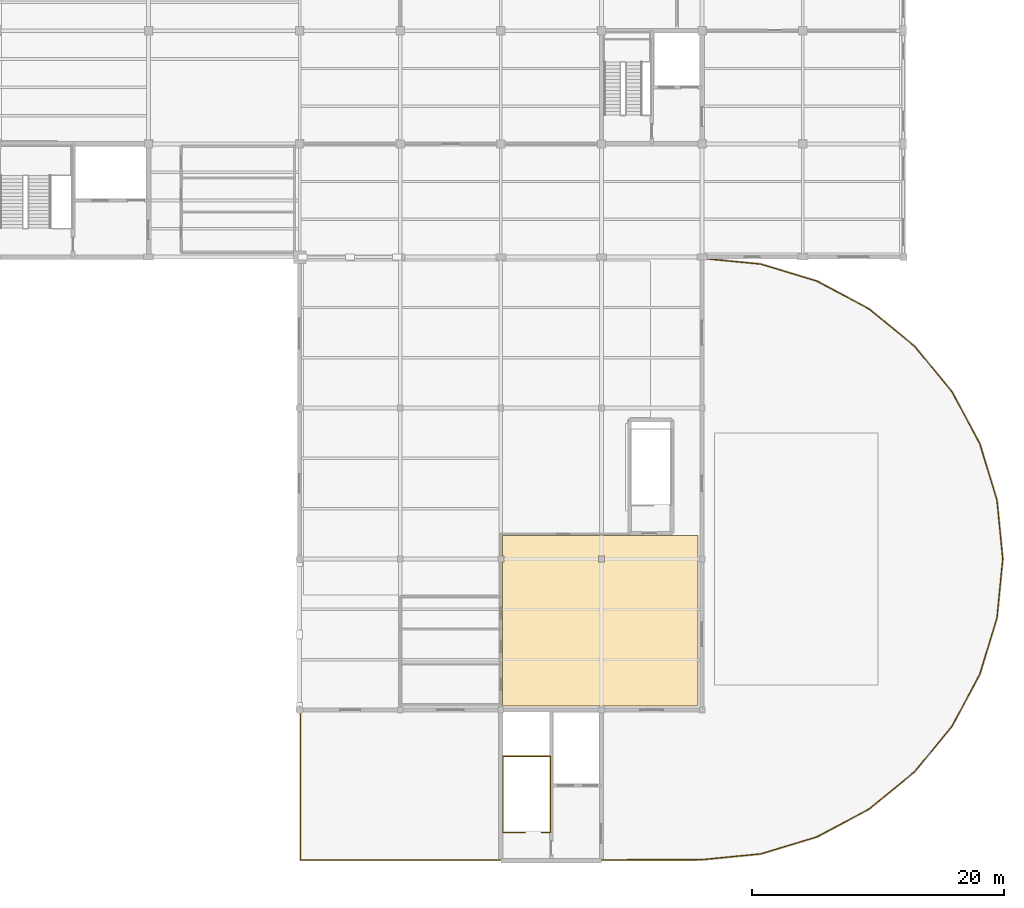
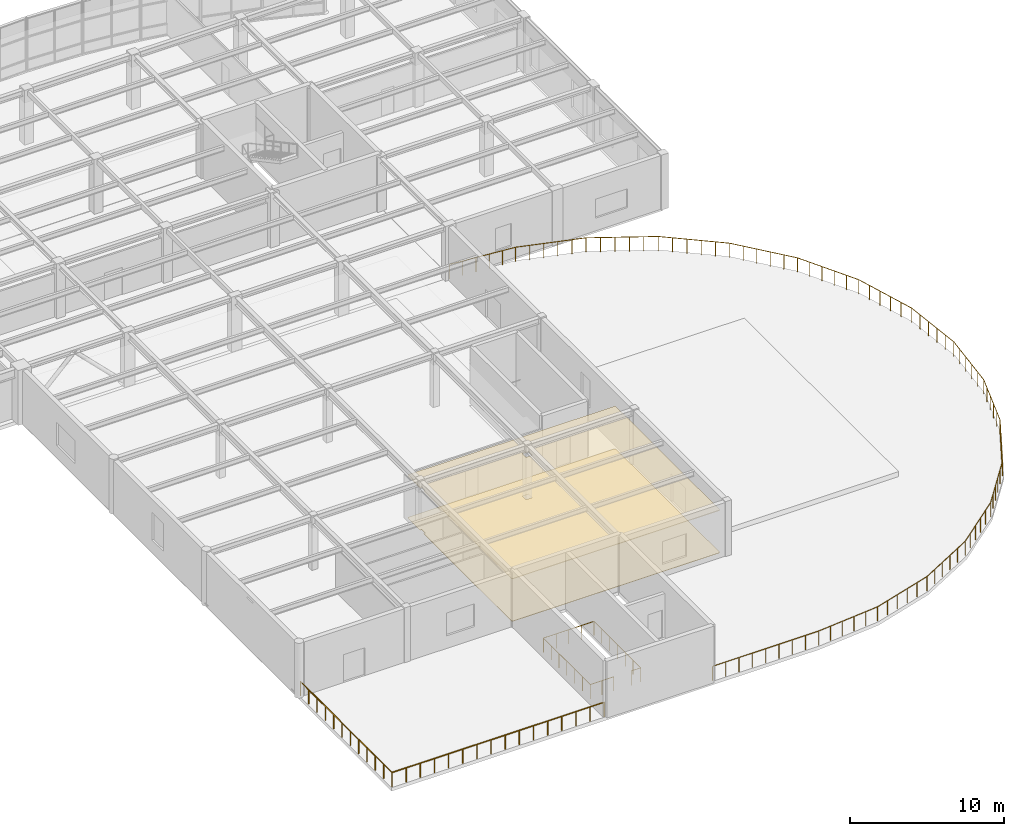
# One storey, part 11 of 16: 3 railings, 2 coverings.
"""IFC4 building model written with IfcOpenShell, lengths in metres."""

from ifc_helpers import new_model, si_unit, direction, frame, origin, origin_2d, place, context, subcontext, project, spatial, polyline, circle, outline, extrude, material, layer, layer_set, type_object, element, save


model = new_model("IFC4")

# Units and contexts
model_context = context("Model", 3, precision=1e-05, world=origin(), true_north=direction((0.0, 1.0)))
body_context = subcontext(model_context, "Body", "Model", "MODEL_VIEW")
ifc_project = project(units=[si_unit("LENGTHUNIT", "METRE"), si_unit("AREAUNIT", "SQUARE_METRE"), si_unit("VOLUMEUNIT", "CUBIC_METRE"), si_unit("PLANEANGLEUNIT", "RADIAN"), si_unit("MASSUNIT", "GRAM", prefix="KILO")], contexts=[model_context])

# Site, building, storey
site_placement = place(None, origin())
site = spatial("IfcSite", under=ifc_project, at=site_placement, CompositionType="ELEMENT")
building_placement = place(site_placement, origin())
building = spatial("IfcBuilding", under=site, at=building_placement, Name="Keelwater Ferry Terminal", CompositionType="ELEMENT")
storey_placement = place(building_placement, frame((0.0, 0.0, 15.0)))
storey = spatial("IfcBuildingStorey", under=building, at=storey_placement, Name="L03", CompositionType="ELEMENT", Elevation=15.0)

# Railings
ifc_material_1 = material(Name="Marine stainless steel and laminated glass balustrade", Category="steel")
railing_type_1 = type_object("IfcRailingType", Name="BL-115 Waterfront Promenade Balustrade", PredefinedType="BALUSTRADE", material=ifc_material_1)
railing_1_placement = place(storey_placement, frame((132.080078125, 53.949951171875, 0.0)))
element("IfcRailing", 1, at=railing_1_placement, inside=storey, type_object=railing_type_1, Name="East Roof Garden West Guard 4", PredefinedType="BALUSTRADE", context=body_context, shape_type="SweptSolid", body=[
    extrude(circle(Radius=0.02685546875, at=origin_2d()), frame((0.0, 0.0, 1.123046875), z_axis=(0.0, -1.0, 0.0), x_axis=(1.0, 0.0, 0.0)), (0.0, 0.0, 1.0), 11.869873046875),
    extrude(circle(Radius=0.02685546875, at=origin_2d()), frame((0.0, -11.869873046875, 1.123046875), z_axis=(1.0, 0.0, 0.0), x_axis=(0.0, 1.0, 0.0)), (0.0, 0.0, 1.0), 15.869873046875),
    extrude(circle(Radius=0.02392578125, at=origin_2d()), origin(), (0.0, 0.0, 1.0), 1.095947265625),
    extrude(circle(Radius=0.02392578125, at=origin_2d()), frame((0.0, -1.0791015625, 0.0)), (0.0, 0.0, 1.0), 1.095947265625),
    extrude(circle(Radius=0.02392578125, at=origin_2d()), frame((0.0, -2.158203125, 0.0)), (0.0, 0.0, 1.0), 1.095947265625),
    extrude(circle(Radius=0.02392578125, at=origin_2d()), frame((0.0, -3.2373046875, 0.0)), (0.0, 0.0, 1.0), 1.095947265625),
    extrude(circle(Radius=0.02392578125, at=origin_2d()), frame((0.0, -4.31640625, 0.0)), (0.0, 0.0, 1.0), 1.095947265625),
    extrude(circle(Radius=0.02392578125, at=origin_2d()), frame((0.0, -5.3955078125, 0.0)), (0.0, 0.0, 1.0), 1.095947265625),
    extrude(circle(Radius=0.02392578125, at=origin_2d()), frame((0.0, -6.474365234375, 0.0)), (0.0, 0.0, 1.0), 1.095947265625),
    extrude(circle(Radius=0.02392578125, at=origin_2d()), frame((0.0, -7.553466796875, 0.0)), (0.0, 0.0, 1.0), 1.095947265625),
    extrude(circle(Radius=0.02392578125, at=origin_2d()), frame((0.0, -8.632568359375, 0.0)), (0.0, 0.0, 1.0), 1.095947265625),
    extrude(circle(Radius=0.02392578125, at=origin_2d()), frame((0.0, -9.711669921875, 0.0)), (0.0, 0.0, 1.0), 1.095947265625),
    extrude(circle(Radius=0.02392578125, at=origin_2d()), frame((0.0, -10.790771484375, 0.0)), (0.0, 0.0, 1.0), 1.095947265625),
    extrude(circle(Radius=0.02392578125, at=origin_2d()), frame((0.0, -11.869873046875, 0.0)), (0.0, 0.0, 1.0), 1.095947265625),
    extrude(circle(Radius=0.02392578125, at=origin_2d()), frame((1.05810546875, -11.869873046875, 0.0)), (0.0, 0.0, 1.0), 1.095947265625),
    extrude(circle(Radius=0.02392578125, at=origin_2d()), frame((2.115966796875, -11.869873046875, 0.0)), (0.0, 0.0, 1.0), 1.095947265625),
    extrude(circle(Radius=0.02392578125, at=origin_2d()), frame((3.174072265625, -11.869873046875, 0.0)), (0.0, 0.0, 1.0), 1.095947265625),
    extrude(circle(Radius=0.02392578125, at=origin_2d()), frame((4.23193359375, -11.869873046875, 0.0)), (0.0, 0.0, 1.0), 1.095947265625),
    extrude(circle(Radius=0.02392578125, at=origin_2d()), frame((5.2900390625, -11.869873046875, 0.0)), (0.0, 0.0, 1.0), 1.095947265625),
    extrude(circle(Radius=0.02392578125, at=origin_2d()), frame((6.347900390625, -11.869873046875, 0.0)), (0.0, 0.0, 1.0), 1.095947265625),
    extrude(circle(Radius=0.02392578125, at=origin_2d()), frame((7.406005859375, -11.869873046875, 0.0)), (0.0, 0.0, 1.0), 1.095947265625),
    extrude(circle(Radius=0.02392578125, at=origin_2d()), frame((8.4638671875, -11.869873046875, 0.0)), (0.0, 0.0, 1.0), 1.095947265625),
    extrude(circle(Radius=0.02392578125, at=origin_2d()), frame((9.52197265625, -11.869873046875, 0.0)), (0.0, 0.0, 1.0), 1.095947265625),
    extrude(circle(Radius=0.02392578125, at=origin_2d()), frame((10.579833984375, -11.869873046875, 0.0)), (0.0, 0.0, 1.0), 1.095947265625),
    extrude(circle(Radius=0.02392578125, at=origin_2d()), frame((11.637939453125, -11.869873046875, 0.0)), (0.0, 0.0, 1.0), 1.095947265625),
    extrude(circle(Radius=0.02392578125, at=origin_2d()), frame((12.69580078125, -11.869873046875, 0.0)), (0.0, 0.0, 1.0), 1.095947265625),
    extrude(circle(Radius=0.02392578125, at=origin_2d()), frame((13.75390625, -11.869873046875, 0.0)), (0.0, 0.0, 1.0), 1.095947265625),
    extrude(circle(Radius=0.02392578125, at=origin_2d()), frame((14.811767578125, -11.869873046875, 0.0)), (0.0, 0.0, 1.0), 1.095947265625),
    extrude(circle(Radius=0.02392578125, at=origin_2d()), frame((15.869873046875, -11.869873046875, 0.0)), (0.0, 0.0, 1.0), 1.095947265625),
])
railing_2_placement = place(storey_placement, frame((156.050048828125, 42.080078125, 0.0)))
element("IfcRailing", 2, at=railing_2_placement, inside=storey, type_object=railing_type_1, Name="East Semicircular Roof Garden Guard 5", PredefinedType="BALUSTRADE", context=body_context, shape_type="SweptSolid", body=[
    extrude(circle(Radius=0.02685546875, at=origin_2d()), frame((0.0, 0.0, 1.123046875), z_axis=(0.999996829361, 0.002518187514, 0.0), x_axis=(-0.002518187514, 0.999996829361, 0.0)), (0.0, 0.0, 1.0), 7.949951171875),
    extrude(circle(Radius=0.02685546875, at=origin_2d()), frame((7.949951171875, 0.02001953125, 1.123046875), z_axis=(0.995190751659, 0.097955948331, 0.0), x_axis=(-0.097955948331, 0.995190751659, 0.0)), (0.0, 0.0, 1.0), 4.685546875),
    extrude(circle(Radius=0.02685546875, at=origin_2d()), frame((12.613037109375, 0.47900390625, 1.123046875), z_axis=(0.956941085694, 0.290282204951, 0.0), x_axis=(-0.290282204951, 0.956941085694, 0.0)), (0.0, 0.0, 1.0), 4.6845703125),
    extrude(circle(Radius=0.02685546875, at=origin_2d()), frame((17.095947265625, 1.8388671875, 1.123046875), z_axis=(0.881890956585, 0.471453434279, 0.0), x_axis=(-0.471453434279, 0.881890956585, 0.0)), (0.0, 0.0, 1.0), 4.685546875),
    extrude(circle(Radius=0.02685546875, at=origin_2d()), frame((21.22802734375, 4.0478515625, 1.123046875), z_axis=(0.773030125768, 0.634369312511, 0.0), x_axis=(-0.634369312511, 0.773030125768, 0.0)), (0.0, 0.0, 1.0), 4.685302734375),
    extrude(circle(Radius=0.02685546875, at=origin_2d()), frame((24.849853515625, 7.02001953125, 1.123046875), z_axis=(0.634369312511, 0.773030125768, 0.0), x_axis=(-0.773030125768, 0.634369312511, 0.0)), (0.0, 0.0, 1.0), 4.685302734375),
    extrude(circle(Radius=0.02685546875, at=origin_2d()), frame((27.822021484375, 10.641845703125, 1.123046875), z_axis=(0.471453434279, 0.881890956585, 0.0), x_axis=(-0.881890956585, 0.471453434279, 0.0)), (0.0, 0.0, 1.0), 4.685546875),
    extrude(circle(Radius=0.02685546875, at=origin_2d()), frame((30.031005859375, 14.77392578125, 1.123046875), z_axis=(0.290282204951, 0.956941085694, 0.0), x_axis=(-0.956941085694, 0.290282204951, 0.0)), (0.0, 0.0, 1.0), 4.6845703125),
    extrude(circle(Radius=0.02685546875, at=origin_2d()), frame((31.390869140625, 19.2568359375, 1.123046875), z_axis=(0.097955948331, 0.995190751659, 0.0), x_axis=(-0.995190751659, 0.097955948331, 0.0)), (0.0, 0.0, 1.0), 4.685546875),
    extrude(circle(Radius=0.02685546875, at=origin_2d()), frame((31.849853515625, 23.919921875, 1.123046875), z_axis=(-0.097955948331, 0.995190751659, 0.0), x_axis=(-0.995190751659, -0.097955948331, 0.0)), (0.0, 0.0, 1.0), 4.685546875),
    extrude(circle(Radius=0.02685546875, at=origin_2d()), frame((31.390869140625, 28.5830078125, 1.123046875), z_axis=(-0.290282204951, 0.956941085694, 0.0), x_axis=(-0.956941085694, -0.290282204951, 0.0)), (0.0, 0.0, 1.0), 4.6845703125),
    extrude(circle(Radius=0.02685546875, at=origin_2d()), frame((30.031005859375, 33.06591796875, 1.123046875), z_axis=(-0.471453434279, 0.881890956585, 0.0), x_axis=(-0.881890956585, -0.471453434279, 0.0)), (0.0, 0.0, 1.0), 4.685546875),
    extrude(circle(Radius=0.02685546875, at=origin_2d()), frame((27.822021484375, 37.197998046875, 1.123046875), z_axis=(-0.634369312511, 0.773030125768, 0.0), x_axis=(-0.773030125768, -0.634369312511, 0.0)), (0.0, 0.0, 1.0), 4.685302734375),
    extrude(circle(Radius=0.02685546875, at=origin_2d()), frame((24.849853515625, 40.81982421875, 1.123046875), z_axis=(-0.773030125768, 0.634369312511, 0.0), x_axis=(-0.634369312511, -0.773030125768, 0.0)), (0.0, 0.0, 1.0), 4.685302734375),
    extrude(circle(Radius=0.02685546875, at=origin_2d()), frame((21.22802734375, 43.7919921875, 1.123046875), z_axis=(-0.881890956585, 0.471453434279, 0.0), x_axis=(-0.471453434279, -0.881890956585, 0.0)), (0.0, 0.0, 1.0), 4.685546875),
    extrude(circle(Radius=0.02685546875, at=origin_2d()), frame((17.095947265625, 46.0009765625, 1.123046875), z_axis=(-0.956941085694, 0.290282204951, 0.0), x_axis=(-0.290282204951, -0.956941085694, 0.0)), (0.0, 0.0, 1.0), 4.6845703125),
    extrude(circle(Radius=0.02685546875, at=origin_2d()), frame((12.613037109375, 47.36083984375, 1.123046875), z_axis=(-0.995190751659, 0.097955948331, 0.0), x_axis=(-0.097955948331, -0.995190751659, 0.0)), (0.0, 0.0, 1.0), 4.685546875),
    extrude(circle(Radius=0.02392578125, at=origin_2d()), origin(), (0.0, 0.0, 1.0), 1.095947265625),
    extrude(circle(Radius=0.02392578125, at=origin_2d()), frame((0.99365234375, 0.00244140625, 0.0)), (0.0, 0.0, 1.0), 1.095947265625),
    extrude(circle(Radius=0.02392578125, at=origin_2d()), frame((1.987548828125, 0.0048828125, 0.0)), (0.0, 0.0, 1.0), 1.095947265625),
    extrude(circle(Radius=0.02392578125, at=origin_2d()), frame((2.981201171875, 0.007568359375, 0.0)), (0.0, 0.0, 1.0), 1.095947265625),
    extrude(circle(Radius=0.02392578125, at=origin_2d()), frame((3.97509765625, 0.010009765625, 0.0)), (0.0, 0.0, 1.0), 1.095947265625),
    extrude(circle(Radius=0.02392578125, at=origin_2d()), frame((4.96875, 0.012451171875, 0.0)), (0.0, 0.0, 1.0), 1.095947265625),
    extrude(circle(Radius=0.02392578125, at=origin_2d()), frame((5.96240234375, 0.01513671875, 0.0)), (0.0, 0.0, 1.0), 1.095947265625),
    extrude(circle(Radius=0.02392578125, at=origin_2d()), frame((6.956298828125, 0.017578125, 0.0)), (0.0, 0.0, 1.0), 1.095947265625),
    extrude(circle(Radius=0.02392578125, at=origin_2d()), frame((7.949951171875, 0.02001953125, 0.0)), (0.0, 0.0, 1.0), 1.095947265625),
    extrude(circle(Radius=0.02392578125, at=origin_2d()), frame((8.882568359375, 0.11181640625, 0.0)), (0.0, 0.0, 1.0), 1.095947265625),
    extrude(circle(Radius=0.02392578125, at=origin_2d()), frame((9.815185546875, 0.20361328125, 0.0)), (0.0, 0.0, 1.0), 1.095947265625),
    extrude(circle(Radius=0.02392578125, at=origin_2d()), frame((10.747802734375, 0.29541015625, 0.0)), (0.0, 0.0, 1.0), 1.095947265625),
    extrude(circle(Radius=0.02392578125, at=origin_2d()), frame((11.680419921875, 0.38720703125, 0.0)), (0.0, 0.0, 1.0), 1.095947265625),
    extrude(circle(Radius=0.02392578125, at=origin_2d()), frame((12.613037109375, 0.47900390625, 0.0)), (0.0, 0.0, 1.0), 1.095947265625),
    extrude(circle(Radius=0.02392578125, at=origin_2d()), frame((13.509521484375, 0.7509765625, 0.0)), (0.0, 0.0, 1.0), 1.095947265625),
    extrude(circle(Radius=0.02392578125, at=origin_2d()), frame((14.40625, 1.02294921875, 0.0)), (0.0, 0.0, 1.0), 1.095947265625),
    extrude(circle(Radius=0.02392578125, at=origin_2d()), frame((15.302734375, 1.294921875, 0.0)), (0.0, 0.0, 1.0), 1.095947265625),
    extrude(circle(Radius=0.02392578125, at=origin_2d()), frame((16.199462890625, 1.56689453125, 0.0)), (0.0, 0.0, 1.0), 1.095947265625),
    extrude(circle(Radius=0.02392578125, at=origin_2d()), frame((17.095947265625, 1.8388671875, 0.0)), (0.0, 0.0, 1.0), 1.095947265625),
    extrude(circle(Radius=0.02392578125, at=origin_2d()), frame((17.92236328125, 2.28076171875, 0.0)), (0.0, 0.0, 1.0), 1.095947265625),
    extrude(circle(Radius=0.02392578125, at=origin_2d()), frame((18.748779296875, 2.722412109375, 0.0)), (0.0, 0.0, 1.0), 1.095947265625),
    extrude(circle(Radius=0.02392578125, at=origin_2d()), frame((19.5751953125, 3.164306640625, 0.0)), (0.0, 0.0, 1.0), 1.095947265625),
    extrude(circle(Radius=0.02392578125, at=origin_2d()), frame((20.401611328125, 3.60595703125, 0.0)), (0.0, 0.0, 1.0), 1.095947265625),
    extrude(circle(Radius=0.02392578125, at=origin_2d()), frame((21.22802734375, 4.0478515625, 0.0)), (0.0, 0.0, 1.0), 1.095947265625),
    extrude(circle(Radius=0.02392578125, at=origin_2d()), frame((21.952392578125, 4.642333984375, 0.0)), (0.0, 0.0, 1.0), 1.095947265625),
    extrude(circle(Radius=0.02392578125, at=origin_2d()), frame((22.6767578125, 5.23681640625, 0.0)), (0.0, 0.0, 1.0), 1.095947265625),
    extrude(circle(Radius=0.02392578125, at=origin_2d()), frame((23.401123046875, 5.8310546875, 0.0)), (0.0, 0.0, 1.0), 1.095947265625),
    extrude(circle(Radius=0.02392578125, at=origin_2d()), frame((24.12548828125, 6.425537109375, 0.0)), (0.0, 0.0, 1.0), 1.095947265625),
    extrude(circle(Radius=0.02392578125, at=origin_2d()), frame((24.849853515625, 7.02001953125, 0.0)), (0.0, 0.0, 1.0), 1.095947265625),
    extrude(circle(Radius=0.02392578125, at=origin_2d()), frame((25.4443359375, 7.744384765625, 0.0)), (0.0, 0.0, 1.0), 1.095947265625),
    extrude(circle(Radius=0.02392578125, at=origin_2d()), frame((26.038818359375, 8.46875, 0.0)), (0.0, 0.0, 1.0), 1.095947265625),
    extrude(circle(Radius=0.02392578125, at=origin_2d()), frame((26.633056640625, 9.193115234375, 0.0)), (0.0, 0.0, 1.0), 1.095947265625),
    extrude(circle(Radius=0.02392578125, at=origin_2d()), frame((27.2275390625, 9.91748046875, 0.0)), (0.0, 0.0, 1.0), 1.095947265625),
    extrude(circle(Radius=0.02392578125, at=origin_2d()), frame((27.822021484375, 10.641845703125, 0.0)), (0.0, 0.0, 1.0), 1.095947265625),
    extrude(circle(Radius=0.02392578125, at=origin_2d()), frame((28.263916015625, 11.46826171875, 0.0)), (0.0, 0.0, 1.0), 1.095947265625),
    extrude(circle(Radius=0.02392578125, at=origin_2d()), frame((28.70556640625, 12.294677734375, 0.0)), (0.0, 0.0, 1.0), 1.095947265625),
    extrude(circle(Radius=0.02392578125, at=origin_2d()), frame((29.1474609375, 13.12109375, 0.0)), (0.0, 0.0, 1.0), 1.095947265625),
    extrude(circle(Radius=0.02392578125, at=origin_2d()), frame((29.589111328125, 13.947509765625, 0.0)), (0.0, 0.0, 1.0), 1.095947265625),
    extrude(circle(Radius=0.02392578125, at=origin_2d()), frame((30.031005859375, 14.77392578125, 0.0)), (0.0, 0.0, 1.0), 1.095947265625),
    extrude(circle(Radius=0.02392578125, at=origin_2d()), frame((30.302978515625, 15.67041015625, 0.0)), (0.0, 0.0, 1.0), 1.095947265625),
    extrude(circle(Radius=0.02392578125, at=origin_2d()), frame((30.574951171875, 16.567138671875, 0.0)), (0.0, 0.0, 1.0), 1.095947265625),
    extrude(circle(Radius=0.02392578125, at=origin_2d()), frame((30.846923828125, 17.463623046875, 0.0)), (0.0, 0.0, 1.0), 1.095947265625),
    extrude(circle(Radius=0.02392578125, at=origin_2d()), frame((31.118896484375, 18.3603515625, 0.0)), (0.0, 0.0, 1.0), 1.095947265625),
    extrude(circle(Radius=0.02392578125, at=origin_2d()), frame((31.390869140625, 19.2568359375, 0.0)), (0.0, 0.0, 1.0), 1.095947265625),
    extrude(circle(Radius=0.02392578125, at=origin_2d()), frame((31.482666015625, 20.189453125, 0.0)), (0.0, 0.0, 1.0), 1.095947265625),
    extrude(circle(Radius=0.02392578125, at=origin_2d()), frame((31.574462890625, 21.1220703125, 0.0)), (0.0, 0.0, 1.0), 1.095947265625),
    extrude(circle(Radius=0.02392578125, at=origin_2d()), frame((31.666259765625, 22.0546875, 0.0)), (0.0, 0.0, 1.0), 1.095947265625),
    extrude(circle(Radius=0.02392578125, at=origin_2d()), frame((31.758056640625, 22.9873046875, 0.0)), (0.0, 0.0, 1.0), 1.095947265625),
    extrude(circle(Radius=0.02392578125, at=origin_2d()), frame((31.849853515625, 23.919921875, 0.0)), (0.0, 0.0, 1.0), 1.095947265625),
    extrude(circle(Radius=0.02392578125, at=origin_2d()), frame((31.758056640625, 24.8525390625, 0.0)), (0.0, 0.0, 1.0), 1.095947265625),
    extrude(circle(Radius=0.02392578125, at=origin_2d()), frame((31.666259765625, 25.78515625, 0.0)), (0.0, 0.0, 1.0), 1.095947265625),
    extrude(circle(Radius=0.02392578125, at=origin_2d()), frame((31.574462890625, 26.7177734375, 0.0)), (0.0, 0.0, 1.0), 1.095947265625),
    extrude(circle(Radius=0.02392578125, at=origin_2d()), frame((31.482666015625, 27.650390625, 0.0)), (0.0, 0.0, 1.0), 1.095947265625),
    extrude(circle(Radius=0.02392578125, at=origin_2d()), frame((31.390869140625, 28.5830078125, 0.0)), (0.0, 0.0, 1.0), 1.095947265625),
    extrude(circle(Radius=0.02392578125, at=origin_2d()), frame((31.118896484375, 29.4794921875, 0.0)), (0.0, 0.0, 1.0), 1.095947265625),
    extrude(circle(Radius=0.02392578125, at=origin_2d()), frame((30.846923828125, 30.376220703125, 0.0)), (0.0, 0.0, 1.0), 1.095947265625),
    extrude(circle(Radius=0.02392578125, at=origin_2d()), frame((30.574951171875, 31.272705078125, 0.0)), (0.0, 0.0, 1.0), 1.095947265625),
    extrude(circle(Radius=0.02392578125, at=origin_2d()), frame((30.302978515625, 32.16943359375, 0.0)), (0.0, 0.0, 1.0), 1.095947265625),
    extrude(circle(Radius=0.02392578125, at=origin_2d()), frame((30.031005859375, 33.06591796875, 0.0)), (0.0, 0.0, 1.0), 1.095947265625),
    extrude(circle(Radius=0.02392578125, at=origin_2d()), frame((29.589111328125, 33.892333984375, 0.0)), (0.0, 0.0, 1.0), 1.095947265625),
    extrude(circle(Radius=0.02392578125, at=origin_2d()), frame((29.1474609375, 34.71875, 0.0)), (0.0, 0.0, 1.0), 1.095947265625),
    extrude(circle(Radius=0.02392578125, at=origin_2d()), frame((28.70556640625, 35.545166015625, 0.0)), (0.0, 0.0, 1.0), 1.095947265625),
    extrude(circle(Radius=0.02392578125, at=origin_2d()), frame((28.263916015625, 36.37158203125, 0.0)), (0.0, 0.0, 1.0), 1.095947265625),
    extrude(circle(Radius=0.02392578125, at=origin_2d()), frame((27.822021484375, 37.197998046875, 0.0)), (0.0, 0.0, 1.0), 1.095947265625),
    extrude(circle(Radius=0.02392578125, at=origin_2d()), frame((27.2275390625, 37.92236328125, 0.0)), (0.0, 0.0, 1.0), 1.095947265625),
    extrude(circle(Radius=0.02392578125, at=origin_2d()), frame((26.633056640625, 38.646728515625, 0.0)), (0.0, 0.0, 1.0), 1.095947265625),
    extrude(circle(Radius=0.02392578125, at=origin_2d()), frame((26.038818359375, 39.37109375, 0.0)), (0.0, 0.0, 1.0), 1.095947265625),
    extrude(circle(Radius=0.02392578125, at=origin_2d()), frame((25.4443359375, 40.095458984375, 0.0)), (0.0, 0.0, 1.0), 1.095947265625),
    extrude(circle(Radius=0.02392578125, at=origin_2d()), frame((24.849853515625, 40.81982421875, 0.0)), (0.0, 0.0, 1.0), 1.095947265625),
    extrude(circle(Radius=0.02392578125, at=origin_2d()), frame((24.12548828125, 41.414306640625, 0.0)), (0.0, 0.0, 1.0), 1.095947265625),
    extrude(circle(Radius=0.02392578125, at=origin_2d()), frame((23.401123046875, 42.0087890625, 0.0)), (0.0, 0.0, 1.0), 1.095947265625),
    extrude(circle(Radius=0.02392578125, at=origin_2d()), frame((22.6767578125, 42.60302734375, 0.0)), (0.0, 0.0, 1.0), 1.095947265625),
    extrude(circle(Radius=0.02392578125, at=origin_2d()), frame((21.952392578125, 43.197509765625, 0.0)), (0.0, 0.0, 1.0), 1.095947265625),
    extrude(circle(Radius=0.02392578125, at=origin_2d()), frame((21.22802734375, 43.7919921875, 0.0)), (0.0, 0.0, 1.0), 1.095947265625),
    extrude(circle(Radius=0.02392578125, at=origin_2d()), frame((20.401611328125, 44.23388671875, 0.0)), (0.0, 0.0, 1.0), 1.095947265625),
    extrude(circle(Radius=0.02392578125, at=origin_2d()), frame((19.5751953125, 44.675537109375, 0.0)), (0.0, 0.0, 1.0), 1.095947265625),
    extrude(circle(Radius=0.02392578125, at=origin_2d()), frame((18.748779296875, 45.117431640625, 0.0)), (0.0, 0.0, 1.0), 1.095947265625),
    extrude(circle(Radius=0.02392578125, at=origin_2d()), frame((17.92236328125, 45.55908203125, 0.0)), (0.0, 0.0, 1.0), 1.095947265625),
    extrude(circle(Radius=0.02392578125, at=origin_2d()), frame((17.095947265625, 46.0009765625, 0.0)), (0.0, 0.0, 1.0), 1.095947265625),
    extrude(circle(Radius=0.02392578125, at=origin_2d()), frame((16.199462890625, 46.27294921875, 0.0)), (0.0, 0.0, 1.0), 1.095947265625),
    extrude(circle(Radius=0.02392578125, at=origin_2d()), frame((15.302734375, 46.544921875, 0.0)), (0.0, 0.0, 1.0), 1.095947265625),
    extrude(circle(Radius=0.02392578125, at=origin_2d()), frame((14.40625, 46.81689453125, 0.0)), (0.0, 0.0, 1.0), 1.095947265625),
    extrude(circle(Radius=0.02392578125, at=origin_2d()), frame((13.509521484375, 47.0888671875, 0.0)), (0.0, 0.0, 1.0), 1.095947265625),
    extrude(circle(Radius=0.02392578125, at=origin_2d()), frame((12.613037109375, 47.36083984375, 0.0)), (0.0, 0.0, 1.0), 1.095947265625),
    extrude(circle(Radius=0.02392578125, at=origin_2d()), frame((11.680419921875, 47.45263671875, 0.0)), (0.0, 0.0, 1.0), 1.095947265625),
    extrude(circle(Radius=0.02392578125, at=origin_2d()), frame((10.747802734375, 47.54443359375, 0.0)), (0.0, 0.0, 1.0), 1.095947265625),
    extrude(circle(Radius=0.02392578125, at=origin_2d()), frame((9.815185546875, 47.63623046875, 0.0)), (0.0, 0.0, 1.0), 1.095947265625),
    extrude(circle(Radius=0.02392578125, at=origin_2d()), frame((8.882568359375, 47.72802734375, 0.0)), (0.0, 0.0, 1.0), 1.095947265625),
    extrude(circle(Radius=0.02392578125, at=origin_2d()), frame((7.949951171875, 47.81982421875, 0.0)), (0.0, 0.0, 1.0), 1.095947265625),
])

# Coverings
ifc_material_2 = material(Name="Perforated acoustic gypsum board ceiling", Category="gypsum")
ifc_layer_1 = layer(ifc_material_2, 0.044921875)
ifc_layer_set_1 = layer_set([ifc_layer_1], Name="Perforated acoustic gypsum board ceiling")
covering_type_1 = type_object("IfcCoveringType", Name="CL-AC Acoustic Baffle Ceiling", PredefinedType="CEILING", material=ifc_layer_set_1)
covering_1_placement = place(storey_placement, frame((0.0, 0.0, 3.35009765625)))
element("IfcCovering", 3, at=covering_1_placement, inside=storey, type_object=covering_type_1, Name="Maritime Archive Study Hall Acoustic Ceiling", PredefinedType="CEILING", context=body_context, shape_type="SweptSolid", body=[
    extrude(outline(polyline([(148.1201171875, 66.237060546875), (148.1201171875, 66.2451171875), (148.1201171875, 67.800048828125), (148.1201171875, 67.80810546875), (148.1220703125, 67.81591796875), (148.123046875, 67.822998046875), (148.1259765625, 67.8310546875), (148.12890625, 67.837890625), (148.133056640625, 67.843994140625), (148.137939453125, 67.85107421875), (148.14306640625, 67.85693359375), (148.14892578125, 67.862060546875), (148.156005859375, 67.866943359375), (148.162109375, 67.87109375), (148.1689453125, 67.8740234375), (148.177001953125, 67.876953125), (148.18408203125, 67.8779296875), (148.19189453125, 67.8798828125), (148.199951171875, 67.8798828125), (163.60009765625, 67.8798828125), (163.60791015625, 67.8798828125), (163.615966796875, 67.8779296875), (163.623046875, 67.876953125), (163.631103515625, 67.8740234375), (163.637939453125, 67.87109375), (163.64404296875, 67.866943359375), (163.65087890625, 67.862060546875), (163.656982421875, 67.85693359375), (163.662109375, 67.85107421875), (163.6669921875, 67.843994140625), (163.6708984375, 67.837890625), (163.674072265625, 67.8310546875), (163.677001953125, 67.822998046875), (163.677978515625, 67.81591796875), (163.679931640625, 67.80810546875), (163.679931640625, 67.800048828125), (163.679931640625, 54.39990234375), (163.679931640625, 54.39208984375), (163.677978515625, 54.384033203125), (163.677001953125, 54.376953125), (163.674072265625, 54.368896484375), (163.6708984375, 54.362060546875), (163.6669921875, 54.35595703125), (163.662109375, 54.34912109375), (163.656982421875, 54.343017578125), (163.65087890625, 54.337890625), (163.64404296875, 54.3330078125), (163.637939453125, 54.3291015625), (163.631103515625, 54.325927734375), (163.623046875, 54.322998046875), (163.615966796875, 54.322021484375), (163.60791015625, 54.320068359375), (163.60009765625, 54.320068359375), (148.199951171875, 54.320068359375), (148.19189453125, 54.320068359375), (148.18408203125, 54.322021484375), (148.177001953125, 54.322998046875), (148.1689453125, 54.325927734375), (148.162109375, 54.3291015625), (148.156005859375, 54.3330078125), (148.14892578125, 54.337890625), (148.14306640625, 54.343017578125), (148.137939453125, 54.34912109375), (148.133056640625, 54.35595703125), (148.12890625, 54.362060546875), (148.1259765625, 54.368896484375), (148.123046875, 54.376953125), (148.1220703125, 54.384033203125), (148.1201171875, 54.39208984375), (148.1201171875, 54.39990234375), (148.1201171875, 65.7548828125), (148.1201171875, 65.762939453125), (148.12109375, 65.764892578125), (148.235107421875, 65.764892578125), (148.235107421875, 66.235107421875), (148.12109375, 66.235107421875), (148.1201171875, 66.237060546875)]), holes=[polyline([(155.764892578125, 65.764892578125), (156.235107421875, 65.764892578125), (156.235107421875, 66.235107421875), (155.764892578125, 66.235107421875), (155.764892578125, 65.764892578125)])]), origin(), (0.0, 0.0, 1.0), 0.044921875),
])
ifc_material_3 = material(Name="Polished mineral terrazzo tile", Category="stone")
ifc_layer_2 = layer(ifc_material_3, 0.030029296875)
ifc_layer_set_2 = layer_set([ifc_layer_2], Name="Polished mineral terrazzo tile")
covering_type_2 = type_object("IfcCoveringType", Name="FL-TZ Marine Terrazzo Flooring", PredefinedType="FLOORING", material=ifc_layer_set_2)
covering_2_placement = place(storey_placement, origin())
element("IfcCovering", 4, at=covering_2_placement, inside=storey, type_object=covering_type_2, Name="Maritime Archive Study Hall Terrazzo Floor", PredefinedType="FLOORING", context=body_context, shape_type="SweptSolid", body=[
    extrude(outline(polyline([(148.1201171875, 66.237060546875), (148.1201171875, 66.2451171875), (148.1201171875, 67.800048828125), (148.1201171875, 67.80810546875), (148.1220703125, 67.81591796875), (148.123046875, 67.822998046875), (148.1259765625, 67.8310546875), (148.12890625, 67.837890625), (148.133056640625, 67.843994140625), (148.137939453125, 67.85107421875), (148.14306640625, 67.85693359375), (148.14892578125, 67.862060546875), (148.156005859375, 67.866943359375), (148.162109375, 67.87109375), (148.1689453125, 67.8740234375), (148.177001953125, 67.876953125), (148.18408203125, 67.8779296875), (148.19189453125, 67.8798828125), (148.199951171875, 67.8798828125), (163.60009765625, 67.8798828125), (163.60791015625, 67.8798828125), (163.615966796875, 67.8779296875), (163.623046875, 67.876953125), (163.631103515625, 67.8740234375), (163.637939453125, 67.87109375), (163.64404296875, 67.866943359375), (163.65087890625, 67.862060546875), (163.656982421875, 67.85693359375), (163.662109375, 67.85107421875), (163.6669921875, 67.843994140625), (163.6708984375, 67.837890625), (163.674072265625, 67.8310546875), (163.677001953125, 67.822998046875), (163.677978515625, 67.81591796875), (163.679931640625, 67.80810546875), (163.679931640625, 67.800048828125), (163.679931640625, 54.39990234375), (163.679931640625, 54.39208984375), (163.677978515625, 54.384033203125), (163.677001953125, 54.376953125), (163.674072265625, 54.368896484375), (163.6708984375, 54.362060546875), (163.6669921875, 54.35595703125), (163.662109375, 54.34912109375), (163.656982421875, 54.343017578125), (163.65087890625, 54.337890625), (163.64404296875, 54.3330078125), (163.637939453125, 54.3291015625), (163.631103515625, 54.325927734375), (163.623046875, 54.322998046875), (163.615966796875, 54.322021484375), (163.60791015625, 54.320068359375), (163.60009765625, 54.320068359375), (148.199951171875, 54.320068359375), (148.19189453125, 54.320068359375), (148.18408203125, 54.322021484375), (148.177001953125, 54.322998046875), (148.1689453125, 54.325927734375), (148.162109375, 54.3291015625), (148.156005859375, 54.3330078125), (148.14892578125, 54.337890625), (148.14306640625, 54.343017578125), (148.137939453125, 54.34912109375), (148.133056640625, 54.35595703125), (148.12890625, 54.362060546875), (148.1259765625, 54.368896484375), (148.123046875, 54.376953125), (148.1220703125, 54.384033203125), (148.1201171875, 54.39208984375), (148.1201171875, 54.39990234375), (148.1201171875, 65.7548828125), (148.1201171875, 65.762939453125), (148.12109375, 65.764892578125), (148.235107421875, 65.764892578125), (148.235107421875, 66.235107421875), (148.12109375, 66.235107421875), (148.1201171875, 66.237060546875)]), holes=[polyline([(155.764892578125, 65.764892578125), (156.235107421875, 65.764892578125), (156.235107421875, 66.235107421875), (155.764892578125, 66.235107421875), (155.764892578125, 65.764892578125)])]), origin(), (0.0, 0.0, 1.0), 0.030029296875),
])

# Railing
ifc_material_4 = material(Name="Painted Steel S355", Category="steel")
railing_type_2 = type_object("IfcRailingType", Name="GR-115 Stair Well Guardrail", PredefinedType="GUARDRAIL", material=ifc_material_4)
railing_3_placement = place(storey_placement, frame((149.929931640625, 44.260009765625, 0.0)))
element("IfcRailing", 5, at=railing_3_placement, inside=storey, type_object=railing_type_2, Name="Stair ST-C4-L02 Top Well Guard 86", PredefinedType="GUARDRAIL", context=body_context, shape_type="SweptSolid", body=[
    extrude(circle(Radius=0.02392578125, at=origin_2d()), frame((0.0, 0.0, 1.1259765625), z_axis=(-1.0, 0.0, 0.0), x_axis=(0.0, -1.0, 0.0)), (0.0, 0.0, 1.0), 1.77001953125),
    extrude(circle(Radius=0.02392578125, at=origin_2d()), frame((-1.77001953125, 0.0, 1.1259765625), z_axis=(0.0, 1.0, 0.0), x_axis=(-1.0, 0.0, 0.0)), (0.0, 0.0, 1.0), 6.06005859375),
    extrude(circle(Radius=0.02392578125, at=origin_2d()), frame((-1.77001953125, 6.06005859375, 1.1259765625), z_axis=(1.0, 0.0, 0.0), x_axis=(0.0, 1.0, 0.0)), (0.0, 0.0, 1.0), 3.780029296875),
    extrude(circle(Radius=0.02392578125, at=origin_2d()), frame((2.010009765625, 6.06005859375, 1.1259765625), z_axis=(0.0, -1.0, 0.0), x_axis=(1.0, 0.0, 0.0)), (0.0, 0.0, 1.0), 6.06005859375),
    extrude(circle(Radius=0.02392578125, at=origin_2d()), frame((2.010009765625, 0.0, 1.1259765625), z_axis=(-1.0, 0.0, 0.0), x_axis=(0.0, -1.0, 0.0)), (0.0, 0.0, 1.0), 0.699951171875),
    extrude(circle(Radius=0.02099609375, at=origin_2d()), origin(), (0.0, 0.0, 1.0), 1.101806640625),
    extrude(circle(Radius=0.02099609375, at=origin_2d()), frame((-0.885009765625, 0.0, 0.0)), (0.0, 0.0, 1.0), 1.101806640625),
    extrude(circle(Radius=0.02099609375, at=origin_2d()), frame((-1.77001953125, 0.0, 0.0)), (0.0, 0.0, 1.0), 1.101806640625),
    extrude(circle(Radius=0.02099609375, at=origin_2d()), frame((-1.77001953125, 1.010009765625, 0.0)), (0.0, 0.0, 1.0), 1.101806640625),
    extrude(circle(Radius=0.02099609375, at=origin_2d()), frame((-1.77001953125, 2.02001953125, 0.0)), (0.0, 0.0, 1.0), 1.101806640625),
    extrude(circle(Radius=0.02099609375, at=origin_2d()), frame((-1.77001953125, 3.030029296875, 0.0)), (0.0, 0.0, 1.0), 1.101806640625),
    extrude(circle(Radius=0.02099609375, at=origin_2d()), frame((-1.77001953125, 4.0400390625, 0.0)), (0.0, 0.0, 1.0), 1.101806640625),
    extrude(circle(Radius=0.02099609375, at=origin_2d()), frame((-1.77001953125, 5.050048828125, 0.0)), (0.0, 0.0, 1.0), 1.101806640625),
    extrude(circle(Radius=0.02099609375, at=origin_2d()), frame((-1.77001953125, 6.06005859375, 0.0)), (0.0, 0.0, 1.0), 1.101806640625),
    extrude(circle(Radius=0.02099609375, at=origin_2d()), frame((-0.824951171875, 6.06005859375, 0.0)), (0.0, 0.0, 1.0), 1.101806640625),
    extrude(circle(Radius=0.02099609375, at=origin_2d()), frame((0.1201171875, 6.06005859375, 0.0)), (0.0, 0.0, 1.0), 1.101806640625),
    extrude(circle(Radius=0.02099609375, at=origin_2d()), frame((1.06494140625, 6.06005859375, 0.0)), (0.0, 0.0, 1.0), 1.101806640625),
    extrude(circle(Radius=0.02099609375, at=origin_2d()), frame((2.010009765625, 6.06005859375, 0.0)), (0.0, 0.0, 1.0), 1.101806640625),
    extrude(circle(Radius=0.02099609375, at=origin_2d()), frame((2.010009765625, 5.050048828125, 0.0)), (0.0, 0.0, 1.0), 1.101806640625),
    extrude(circle(Radius=0.02099609375, at=origin_2d()), frame((2.010009765625, 4.0400390625, 0.0)), (0.0, 0.0, 1.0), 1.101806640625),
    extrude(circle(Radius=0.02099609375, at=origin_2d()), frame((2.010009765625, 3.030029296875, 0.0)), (0.0, 0.0, 1.0), 1.101806640625),
    extrude(circle(Radius=0.02099609375, at=origin_2d()), frame((2.010009765625, 2.02001953125, 0.0)), (0.0, 0.0, 1.0), 1.101806640625),
    extrude(circle(Radius=0.02099609375, at=origin_2d()), frame((2.010009765625, 1.010009765625, 0.0)), (0.0, 0.0, 1.0), 1.101806640625),
    extrude(circle(Radius=0.02099609375, at=origin_2d()), frame((2.010009765625, 0.0, 0.0)), (0.0, 0.0, 1.0), 1.101806640625),
    extrude(circle(Radius=0.02099609375, at=origin_2d()), frame((1.31005859375, 0.0, 0.0)), (0.0, 0.0, 1.0), 1.101806640625),
])

save(model, "model.ifc")
